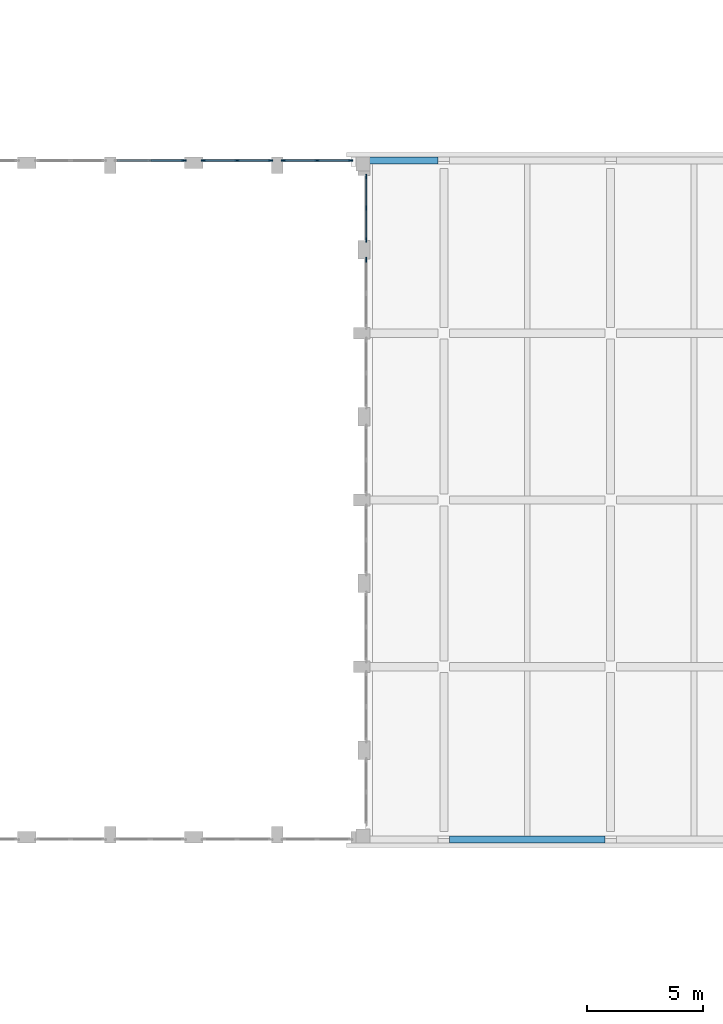
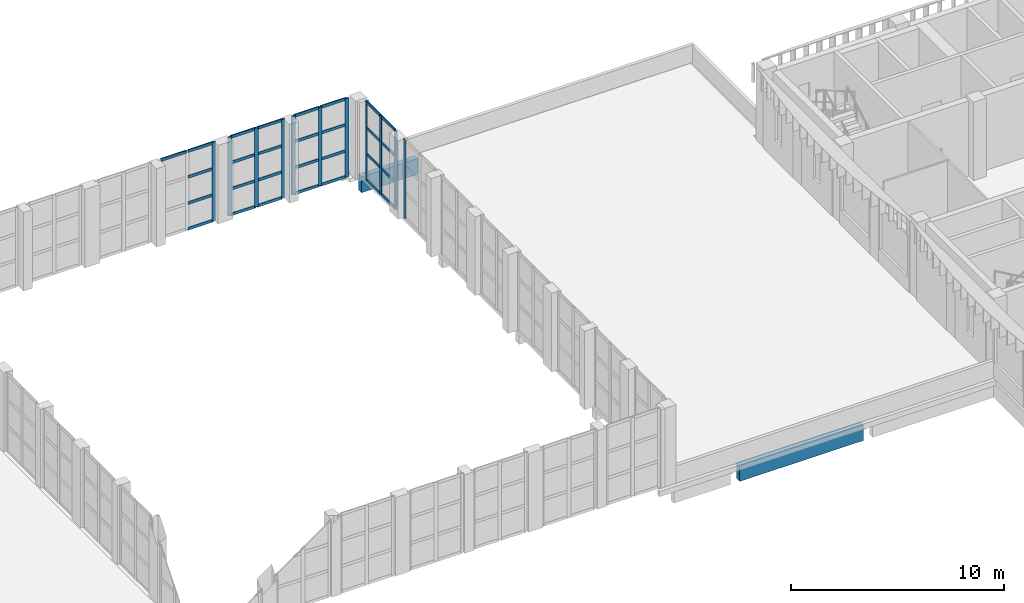
# One storey, part 7 of 44: 40 members, 2 beams, 5 elements without a shape of their own.
"""IFC4 building model written with IfcOpenShell, lengths in metres."""

import ifcopenshell
import ifcopenshell.guid

model = None  # the IFC model being written
_history = None  # IfcOwnerHistory: only IFC2X3 demands one
_inside = {}  # id of a spatial element -> (the spatial element, [elements in it])
_under = {}  # id of a project, library or spatial element -> (it, [spatial elements below it])
_declared = {}  # id of a project -> (the project, [libraries it declares])
_typed = {}  # id of a type object -> (the type object, [elements of that type])
_made_of = {}  # id of a material, layer set ... -> (it, [elements and type objects made of it])


def new_model(schema):
    """Start an empty IFC model of exactly this schema.

    Asked for "IFC4X3", IfcOpenShell would pick the latest addendum, in which some entities
    have other attributes; the version numbers below select the first issue.
    IFC2X3 requires an IfcOwnerHistory on every rooted entity: one is made here for all.
    """
    global model, _history
    if schema == "IFC4X3":
        model = ifcopenshell.file(schema_version=(4, 3, 0, 0))
    else:
        model = ifcopenshell.file(schema=schema)
    _inside.clear()
    _under.clear()
    _declared.clear()
    _typed.clear()
    _made_of.clear()
    _history = None
    if model.schema == "IFC2X3":
        org = make("IfcOrganization", Name="unknown")
        user = make(
            "IfcPersonAndOrganization",
            ThePerson=make("IfcPerson", FamilyName="unknown"),
            TheOrganization=org,
        )
        app = make(
            "IfcApplication",
            ApplicationDeveloper=org,
            Version="unknown",
            ApplicationFullName="unknown",
            ApplicationIdentifier="unknown",
        )
        _history = make(
            "IfcOwnerHistory",
            OwningUser=user,
            OwningApplication=app,
            ChangeAction="ADDED",
            CreationDate=0,
        )
    return model


def make(cls, **values):
    """One entity of the class cls with the attributes given. An attribute that is None is left unset."""
    return model.create_entity(
        cls, **{name: value for name, value in values.items() if value is not None}
    )


def rooted(cls, **values):
    """An entity with a GlobalId (a new one), such as an element, a storey or a relation."""
    return make(cls, GlobalId=ifcopenshell.guid.new(), OwnerHistory=_history, **values)


def si_unit(unit_type, name, prefix=None):
    """IfcSIUnit, for example si_unit("LENGTHUNIT", "METRE", prefix="MILLI")."""
    return make("IfcSIUnit", UnitType=unit_type, Prefix=prefix, Name=name)


def assignment(units):
    """IfcUnitAssignment: the units of a project."""
    return None if units is None else make("IfcUnitAssignment", Units=units)


def point(xyz):
    """IfcCartesianPoint."""
    return None if xyz is None else make("IfcCartesianPoint", Coordinates=xyz)


def direction(xyz):
    """IfcDirection."""
    return None if xyz is None else make("IfcDirection", DirectionRatios=xyz)


def frame(location, z_axis=None, x_axis=None):
    """IfcAxis2Placement3D, a coordinate frame: its origin and axes. An axis left out is left unset."""
    return make(
        "IfcAxis2Placement3D",
        Location=point(location),
        Axis=direction(z_axis),
        RefDirection=direction(x_axis),
    )


def frame_2d(location, x_axis=None):
    """IfcAxis2Placement2D, a coordinate frame in the plane: its origin and x axis."""
    return make(
        "IfcAxis2Placement2D", Location=point(location), RefDirection=direction(x_axis)
    )


def origin():
    """The frame at (0, 0, 0) with its axes left unset."""
    return frame((0.0, 0.0, 0.0))


def origin_2d():
    """The frame at (0, 0) in the plane with its x axis left unset."""
    return frame_2d((0.0, 0.0))


def place(relative_to, where):
    """IfcLocalPlacement: puts the frame where relative to a parent placement (None: the world)."""
    return make(
        "IfcLocalPlacement", PlacementRelTo=relative_to, RelativePlacement=where
    )


def context(
    kind, dimensions, precision=None, world=None, true_north=None, identifier=None
):
    """IfcGeometricRepresentationContext, for example the 3D "Model" context."""
    return make(
        "IfcGeometricRepresentationContext",
        ContextIdentifier=identifier,
        ContextType=kind,
        CoordinateSpaceDimension=dimensions,
        Precision=precision,
        WorldCoordinateSystem=world,
        TrueNorth=true_north,
    )


def subcontext(parent, identifier, kind, view, scale=None):
    """IfcGeometricRepresentationSubContext, for example "Body" below "Model"."""
    return make(
        "IfcGeometricRepresentationSubContext",
        ContextIdentifier=identifier,
        ContextType=kind,
        ParentContext=parent,
        TargetScale=scale,
        TargetView=view,
    )


def project(units=None, contexts=None):
    """IfcProject with its units and contexts."""
    return rooted(
        "IfcProject",
        Name="project",
        RepresentationContexts=contexts,
        UnitsInContext=assignment(units),
    )


def spatial(cls, under=None, at=None, **own):
    """A site, building, storey or space (cls), placed at a placement, below another one or the project."""
    s = rooted(cls, ObjectPlacement=at, **own)
    if under is not None:
        _under.setdefault(under.id(), (under, []))[1].append(s)
    return s


def profile(cls, at=None, kind="AREA", **sizes):
    """A parametric profile (cls). Its sizes go by their IFC names, for example OverallWidth=200.0."""
    return make(cls, ProfileType=kind, Position=at, **sizes)


def rectangle(**sizes):
    """IfcRectangleProfileDef."""
    return profile("IfcRectangleProfileDef", **sizes)


def extrude(swept, where, along, depth):
    """IfcExtrudedAreaSolid: the profile swept, set in the frame where, extruded along a direction by depth."""
    return make(
        "IfcExtrudedAreaSolid",
        SweptArea=swept,
        Position=where,
        ExtrudedDirection=direction(along),
        Depth=depth,
    )


def shape(context_of_items, identifier, shape_type, items):
    """IfcShapeRepresentation: the items that make up one representation, for example the "Body"."""
    return make(
        "IfcShapeRepresentation",
        ContextOfItems=context_of_items,
        RepresentationIdentifier=identifier,
        RepresentationType=shape_type,
        Items=items,
    )


def material(Name=None, Category=None):
    """IfcMaterial."""
    return make("IfcMaterial", Name=Name, Category=Category)


def layer(
    of_material, thickness, ventilated=None, Name=None, Category=None, Priority=None
):
    """IfcMaterialLayer: one layer of a wall or slab, of a material (None: an air gap)."""
    return make(
        "IfcMaterialLayer",
        Material=of_material,
        LayerThickness=thickness,
        IsVentilated=ventilated,
        Name=Name,
        Category=Category,
        Priority=Priority,
    )


def layer_set(layers, Name=None):
    """IfcMaterialLayerSet."""
    return make("IfcMaterialLayerSet", MaterialLayers=layers, LayerSetName=Name)


def material_profile(
    of_material, cross_section, Name=None, Category=None, Priority=None
):
    """IfcMaterialProfile: a cross section and its material."""
    return make(
        "IfcMaterialProfile",
        Name=Name,
        Material=of_material,
        Profile=cross_section,
        Priority=Priority,
        Category=Category,
    )


def profile_set(profiles, Name=None, composite=None):
    """IfcMaterialProfileSet."""
    return make(
        "IfcMaterialProfileSet",
        Name=Name,
        MaterialProfiles=profiles,
        CompositeProfile=composite,
    )


def made_of(thing, what):
    """Note that an element or type object is made of a material, layer set ...; save() writes the relation."""
    if what is not None:
        _made_of.setdefault(what.id(), (what, []))[1].append(thing)
    return thing


def type_object(cls, material=None, **own):
    """A type object (cls), such as IfcWallType, which elements share."""
    return made_of(rooted(cls, **own), material)


def element(
    cls,
    number,
    at=None,
    inside=None,
    cuts=None,
    type_object=None,
    material=None,
    context=None,
    identifier="Body",
    shape_type=None,
    held_by="IfcProductDefinitionShape",
    body=None,
    shapes=None,
    **own,
):
    """One element of the class cls, such as IfcWall. Its Tag is "e" and its number.

    at: its placement. inside: the storey or other place that contains it. cuts: it is an
    opening in that element (IfcRelVoidsElement). A single representation is given by context,
    identifier, shape_type and body (its items); several are given by shapes. held_by: the class
    of the entity that holds the representations. save() writes the other relations.
    """
    e = rooted(cls, Tag="e%d" % number, ObjectPlacement=at, **own)
    if body is not None:
        shapes = [shape(context, identifier, shape_type, body)]
    if shapes is not None:
        e.Representation = make(held_by, Representations=shapes)
    if inside is not None:
        _inside.setdefault(inside.id(), (inside, []))[1].append(e)
    if cuts is not None:
        rooted(
            "IfcRelVoidsElement", RelatingBuildingElement=cuts, RelatedOpeningElement=e
        )
    if type_object is not None:
        _typed.setdefault(type_object.id(), (type_object, []))[1].append(e)
    return made_of(e, material)


def aggregate(whole, parts):
    """IfcRelAggregates: a whole, such as a stair, and the parts it consists of."""
    return rooted("IfcRelAggregates", RelatingObject=whole, RelatedObjects=parts)


def save(model, path):
    """Write the relations noted so far, then the file.

    IfcRelAggregates (storeys below a building ...), IfcRelContainedInSpatialStructure (elements
    in a storey), IfcRelDefinesByType, IfcRelAssociatesMaterial and IfcRelDeclares: one each for
    every whole, place, type object, material and project.
    """
    for whole, parts in _under.values():
        aggregate(whole, parts)
    for where, things in _inside.values():
        rooted(
            "IfcRelContainedInSpatialStructure",
            RelatedElements=things,
            RelatingStructure=where,
        )
    for kind, things in _typed.values():
        rooted("IfcRelDefinesByType", RelatedObjects=things, RelatingType=kind)
    for what, things in _made_of.values():
        rooted("IfcRelAssociatesMaterial", RelatedObjects=things, RelatingMaterial=what)
    for by, libraries in _declared.values():
        rooted("IfcRelDeclares", RelatingContext=by, RelatedDefinitions=libraries)
    model.write(path)


model = new_model("IFC4")

# Units and contexts
model_context = context("Model", 3, precision=1e-05, world=origin(), true_north=direction((0.0, 1.0)))
body_context = subcontext(model_context, "Body", "Model", "MODEL_VIEW")
ifc_project = project(units=[si_unit("LENGTHUNIT", "METRE"), si_unit("AREAUNIT", "SQUARE_METRE"), si_unit("VOLUMEUNIT", "CUBIC_METRE"), si_unit("PLANEANGLEUNIT", "RADIAN"), si_unit("MASSUNIT", "GRAM", prefix="KILO")], contexts=[model_context])

# Site, building, storey
site_placement = place(None, origin())
site = spatial("IfcSite", under=ifc_project, at=site_placement, CompositionType="ELEMENT")
building_placement = place(site_placement, origin())
building = spatial("IfcBuilding", under=site, at=building_placement, Name="Ussher Court Research Institute", CompositionType="ELEMENT")
storey_placement = place(building_placement, frame((0.0, 0.0, 18.89990234375)))
storey = spatial("IfcBuildingStorey", under=building, at=storey_placement, Name="L04", CompositionType="ELEMENT", Elevation=18.89990234375)

# Curtain wall, members
ifc_material_1 = material(Name="Bronze anodised aluminium with low-e glass", Category="aluminium")
ifc_layer = layer(ifc_material_1, 0.159912109375)
ifc_layer_set = layer_set([ifc_layer], Name="Bronze anodised aluminium with low-e glass")
curtain_wall_type = type_object("IfcCurtainWallType", Name="Curtain wall atrium clerestory tall glazing", PredefinedType="NOTDEFINED", material=ifc_layer_set)
curtain_wall_1_placement = place(storey_placement, origin())
curtain_wall_1 = element("IfcCurtainWall", 1, at=curtain_wall_1_placement, inside=storey, type_object=curtain_wall_type, Name="Curtain wall CW3 L04", PredefinedType="NOTDEFINED")
ifc_material_2 = material(Name="Bronze anodised aluminium", Category="aluminium")
ifc_material_profile_1 = material_profile(ifc_material_2, rectangle(XDim=0.06005859375, YDim=0.199951171875, at=origin_2d()), Name="Mullion 60x200")
ifc_profile_set_1 = profile_set([ifc_material_profile_1], Name="Bronze anodised aluminium")
member_type_1 = type_object("IfcMemberType", Name="Mullion 60x200", PredefinedType="MULLION", material=ifc_profile_set_1)
member_1_placement = place(storey_placement, frame((64.449951171875, 39.570068359375, 0.0), z_axis=(0.0, 0.0, 1.0), x_axis=(1.0, 0.0, 0.0)))
member_1 = element("IfcMember", 2, at=member_1_placement, type_object=member_type_1, Name="CW3 mullion 1", PredefinedType="MULLION", context=body_context, shape_type="SweptSolid", body=[
    extrude(rectangle(XDim=0.06005859375, YDim=0.199951171875, at=origin_2d()), origin(), (0.0, 0.0, 1.0), 4.5),
])
member_2_placement = place(storey_placement, frame((64.449951171875, 38.199951171875, 0.0), z_axis=(0.0, 0.0, 1.0), x_axis=(1.0, 0.0, 0.0)))
member_2 = element("IfcMember", 3, at=member_2_placement, type_object=member_type_1, Name="CW3 mullion 2", PredefinedType="MULLION", context=body_context, shape_type="SweptSolid", body=[
    extrude(rectangle(XDim=0.06005859375, YDim=0.199951171875, at=origin_2d()), origin(), (0.0, 0.0, 1.0), 4.5),
])
member_3_placement = place(storey_placement, frame((64.449951171875, 36.830078125, 0.0), z_axis=(0.0, 0.0, 1.0), x_axis=(1.0, 0.0, 0.0)))
member_3 = element("IfcMember", 4, at=member_3_placement, type_object=member_type_1, Name="CW3 mullion 3", PredefinedType="MULLION", context=body_context, shape_type="SweptSolid", body=[
    extrude(rectangle(XDim=0.06005859375, YDim=0.199951171875, at=origin_2d()), origin(), (0.0, 0.0, 1.0), 4.5),
])

# Curtain wall, member
curtain_wall_2_placement = place(storey_placement, origin())
curtain_wall_2 = element("IfcCurtainWall", 5, at=curtain_wall_2_placement, inside=storey, type_object=curtain_wall_type, Name="Curtain wall CW3 L04", PredefinedType="NOTDEFINED")
member_4_placement = place(storey_placement, frame((64.449951171875, 35.969970703125, 0.0), z_axis=(0.0, 0.0, 1.0), x_axis=(1.0, 0.0, 0.0)))
member_4 = element("IfcMember", 6, at=member_4_placement, type_object=member_type_1, Name="CW3 mullion 1", PredefinedType="MULLION", context=body_context, shape_type="SweptSolid", body=[
    extrude(rectangle(XDim=0.06005859375, YDim=0.199951171875, at=origin_2d()), origin(), (0.0, 0.0, 1.0), 4.5),
])
aggregate(curtain_wall_2, [member_4])

curtain_wall_3_placement = place(storey_placement, origin())
curtain_wall_3 = element("IfcCurtainWall", 7, at=curtain_wall_3_placement, inside=storey, type_object=curtain_wall_type, Name="Curtain wall CW3 L04", PredefinedType="NOTDEFINED")
member_5_placement = place(storey_placement, frame((56.570068359375, 40.25, 0.0), z_axis=(0.0, 0.0, 1.0), x_axis=(0.0, 1.0, 0.0)))
member_5 = element("IfcMember", 8, at=member_5_placement, type_object=member_type_1, Name="CW3 mullion 3", PredefinedType="MULLION", context=body_context, shape_type="SweptSolid", body=[
    extrude(rectangle(XDim=0.06005859375, YDim=0.199951171875, at=origin_2d()), origin(), (0.0, 0.0, 1.0), 4.5),
])

# Curtain wall, members
curtain_wall_4_placement = place(storey_placement, origin())
curtain_wall_4 = element("IfcCurtainWall", 9, at=curtain_wall_4_placement, inside=storey, type_object=curtain_wall_type, Name="Curtain wall CW3 L04", PredefinedType="NOTDEFINED")
member_6_placement = place(storey_placement, frame((57.429931640625, 40.25, 0.0), z_axis=(0.0, 0.0, 1.0), x_axis=(0.0, 1.0, 0.0)))
member_6 = element("IfcMember", 10, at=member_6_placement, type_object=member_type_1, Name="CW3 mullion 1", PredefinedType="MULLION", context=body_context, shape_type="SweptSolid", body=[
    extrude(rectangle(XDim=0.06005859375, YDim=0.199951171875, at=origin_2d()), origin(), (0.0, 0.0, 1.0), 4.5),
])
member_7_placement = place(storey_placement, frame((58.875, 40.25, 0.0), z_axis=(0.0, 0.0, 1.0), x_axis=(0.0, 1.0, 0.0)))
member_7 = element("IfcMember", 11, at=member_7_placement, type_object=member_type_1, Name="CW3 mullion 2", PredefinedType="MULLION", context=body_context, shape_type="SweptSolid", body=[
    extrude(rectangle(XDim=0.06005859375, YDim=0.199951171875, at=origin_2d()), origin(), (0.0, 0.0, 1.0), 4.5),
])
member_8_placement = place(storey_placement, frame((60.320068359375, 40.25, 0.0), z_axis=(0.0, 0.0, 1.0), x_axis=(0.0, 1.0, 0.0)))
member_8 = element("IfcMember", 12, at=member_8_placement, type_object=member_type_1, Name="CW3 mullion 3", PredefinedType="MULLION", context=body_context, shape_type="SweptSolid", body=[
    extrude(rectangle(XDim=0.06005859375, YDim=0.199951171875, at=origin_2d()), origin(), (0.0, 0.0, 1.0), 4.5),
])

curtain_wall_5_placement = place(storey_placement, origin())
curtain_wall_5 = element("IfcCurtainWall", 13, at=curtain_wall_5_placement, inside=storey, type_object=curtain_wall_type, Name="Curtain wall CW3 L04", PredefinedType="NOTDEFINED")
member_9_placement = place(storey_placement, frame((60.8798828125, 40.25, 0.0), z_axis=(0.0, 0.0, 1.0), x_axis=(0.0, 1.0, 0.0)))
member_9 = element("IfcMember", 14, at=member_9_placement, type_object=member_type_1, Name="CW3 mullion 1", PredefinedType="MULLION", context=body_context, shape_type="SweptSolid", body=[
    extrude(rectangle(XDim=0.06005859375, YDim=0.199951171875, at=origin_2d()), origin(), (0.0, 0.0, 1.0), 4.5),
])
member_10_placement = place(storey_placement, frame((62.324951171875, 40.25, 0.0), z_axis=(0.0, 0.0, 1.0), x_axis=(0.0, 1.0, 0.0)))
member_10 = element("IfcMember", 15, at=member_10_placement, type_object=member_type_1, Name="CW3 mullion 2", PredefinedType="MULLION", context=body_context, shape_type="SweptSolid", body=[
    extrude(rectangle(XDim=0.06005859375, YDim=0.199951171875, at=origin_2d()), origin(), (0.0, 0.0, 1.0), 4.5),
])
member_11_placement = place(storey_placement, frame((63.77001953125, 40.25, 0.0), z_axis=(0.0, 0.0, 1.0), x_axis=(0.0, 1.0, 0.0)))
member_11 = element("IfcMember", 16, at=member_11_placement, type_object=member_type_1, Name="CW3 mullion 3", PredefinedType="MULLION", context=body_context, shape_type="SweptSolid", body=[
    extrude(rectangle(XDim=0.06005859375, YDim=0.199951171875, at=origin_2d()), origin(), (0.0, 0.0, 1.0), 4.5),
])

# Beams
ifc_material_3 = material(Name="Concrete C35/45", Category="concrete")
ifc_material_profile_2 = material_profile(ifc_material_3, rectangle(XDim=0.300048828125, YDim=0.89990234375, at=origin_2d()), Name="RC 300x900")
ifc_profile_set_2 = profile_set([ifc_material_profile_2], Name="Concrete C35/45")
beam_type = type_object("IfcBeamType", Name="RC 300x900 beam", PredefinedType="BEAM", material=ifc_profile_set_2)
beam_1_placement = place(storey_placement, frame((68.050048828125, 10.949951171875, -0.64990234375), z_axis=(1.0, 0.0, 0.0), x_axis=(0.0, 1.0, 0.0)))
element("IfcBeam", 17, at=beam_1_placement, inside=storey, type_object=beam_type, Name="SB2 V7 L04-04", PredefinedType="BEAM", context=body_context, shape_type="SweptSolid", body=[
    extrude(rectangle(XDim=0.300048828125, YDim=0.89990234375, at=origin_2d()), origin(), (0.0, 0.0, 1.0), 6.699951171875),
])
beam_2_placement = place(storey_placement, frame((64.5, 40.25, -0.64990234375), z_axis=(1.0, 0.0, 0.0), x_axis=(0.0, 1.0, 0.0)))
element("IfcBeam", 18, at=beam_2_placement, inside=storey, type_object=beam_type, Name="SB2 V7 L04-08", PredefinedType="BEAM", context=body_context, shape_type="SweptSolid", body=[
    extrude(rectangle(XDim=0.300048828125, YDim=0.89990234375, at=origin_2d()), origin(), (0.0, 0.0, 1.0), 3.050048828125),
])

# Member
ifc_material_4 = material(Name="Bronze anodised aluminium", Category="aluminium")
ifc_material_profile_3 = material_profile(ifc_material_4, rectangle(XDim=0.06005859375, YDim=0.159912109375, at=origin_2d()), Name="Transom 60x160")
ifc_profile_set_3 = profile_set([ifc_material_profile_3], Name="Bronze anodised aluminium")
member_type_2 = type_object("IfcMemberType", Name="Transom 60x160", PredefinedType="USERDEFINED", material=ifc_profile_set_3)
member_12_placement = place(storey_placement, frame((64.449951171875, 39.5400390625, 0.030029296875), z_axis=(0.0, -1.0, 0.0), x_axis=(1.0, 0.0, 0.0)))
member_12 = element("IfcMember", 19, at=member_12_placement, type_object=member_type_2, Name="CW3 transom 1.1", ObjectType="TRANSOM", PredefinedType="USERDEFINED", context=body_context, shape_type="SweptSolid", body=[
    extrude(rectangle(XDim=0.06005859375, YDim=0.159912109375, at=origin_2d()), origin(), (0.0, 0.0, 1.0), 1.31005859375),
])

member_13_placement = place(storey_placement, frame((64.449951171875, 39.5400390625, 1.5), z_axis=(0.0, -1.0, 0.0), x_axis=(1.0, 0.0, 0.0)))
member_13 = element("IfcMember", 20, at=member_13_placement, type_object=member_type_2, Name="CW3 transom 1.2", ObjectType="TRANSOM", PredefinedType="USERDEFINED", context=body_context, shape_type="SweptSolid", body=[
    extrude(rectangle(XDim=0.06005859375, YDim=0.159912109375, at=origin_2d()), origin(), (0.0, 0.0, 1.0), 1.31005859375),
])

member_14_placement = place(storey_placement, frame((64.449951171875, 39.5400390625, 3.0), z_axis=(0.0, -1.0, 0.0), x_axis=(1.0, 0.0, 0.0)))
member_14 = element("IfcMember", 21, at=member_14_placement, type_object=member_type_2, Name="CW3 transom 1.3", ObjectType="TRANSOM", PredefinedType="USERDEFINED", context=body_context, shape_type="SweptSolid", body=[
    extrude(rectangle(XDim=0.06005859375, YDim=0.159912109375, at=origin_2d()), origin(), (0.0, 0.0, 1.0), 1.31005859375),
])

member_15_placement = place(storey_placement, frame((64.449951171875, 39.5400390625, 4.47021484375), z_axis=(0.0, -1.0, 0.0), x_axis=(1.0, 0.0, 0.0)))
member_15 = element("IfcMember", 22, at=member_15_placement, type_object=member_type_2, Name="CW3 transom 1.4", ObjectType="TRANSOM", PredefinedType="USERDEFINED", context=body_context, shape_type="SweptSolid", body=[
    extrude(rectangle(XDim=0.06005859375, YDim=0.159912109375, at=origin_2d()), origin(), (0.0, 0.0, 1.0), 1.31005859375),
])

member_16_placement = place(storey_placement, frame((64.449951171875, 38.169921875, 0.030029296875), z_axis=(0.0, -1.0, 0.0), x_axis=(1.0, 0.0, 0.0)))
member_16 = element("IfcMember", 23, at=member_16_placement, type_object=member_type_2, Name="CW3 transom 2.1", ObjectType="TRANSOM", PredefinedType="USERDEFINED", context=body_context, shape_type="SweptSolid", body=[
    extrude(rectangle(XDim=0.06005859375, YDim=0.159912109375, at=origin_2d()), origin(), (0.0, 0.0, 1.0), 1.309814453125),
])

member_17_placement = place(storey_placement, frame((64.449951171875, 38.169921875, 1.5), z_axis=(0.0, -1.0, 0.0), x_axis=(1.0, 0.0, 0.0)))
member_17 = element("IfcMember", 24, at=member_17_placement, type_object=member_type_2, Name="CW3 transom 2.2", ObjectType="TRANSOM", PredefinedType="USERDEFINED", context=body_context, shape_type="SweptSolid", body=[
    extrude(rectangle(XDim=0.06005859375, YDim=0.159912109375, at=origin_2d()), origin(), (0.0, 0.0, 1.0), 1.309814453125),
])

member_18_placement = place(storey_placement, frame((64.449951171875, 38.169921875, 3.0), z_axis=(0.0, -1.0, 0.0), x_axis=(1.0, 0.0, 0.0)))
member_18 = element("IfcMember", 25, at=member_18_placement, type_object=member_type_2, Name="CW3 transom 2.3", ObjectType="TRANSOM", PredefinedType="USERDEFINED", context=body_context, shape_type="SweptSolid", body=[
    extrude(rectangle(XDim=0.06005859375, YDim=0.159912109375, at=origin_2d()), origin(), (0.0, 0.0, 1.0), 1.309814453125),
])

member_19_placement = place(storey_placement, frame((64.449951171875, 38.169921875, 4.47021484375), z_axis=(0.0, -1.0, 0.0), x_axis=(1.0, 0.0, 0.0)))
member_19 = element("IfcMember", 26, at=member_19_placement, type_object=member_type_2, Name="CW3 transom 2.4", ObjectType="TRANSOM", PredefinedType="USERDEFINED", context=body_context, shape_type="SweptSolid", body=[
    extrude(rectangle(XDim=0.06005859375, YDim=0.159912109375, at=origin_2d()), origin(), (0.0, 0.0, 1.0), 1.309814453125),
])

aggregate(curtain_wall_1, [member_1, member_2, member_3, member_12, member_13, member_14, member_15, member_16, member_17, member_18, member_19])

member_20_placement = place(storey_placement, frame((53.7099609375, 40.25, 4.47021484375), z_axis=(1.0, 0.0, 0.0), x_axis=(0.0, 1.0, 0.0)))
member_20 = element("IfcMember", 27, at=member_20_placement, type_object=member_type_2, Name="CW3 transom 1.4", ObjectType="TRANSOM", PredefinedType="USERDEFINED", context=body_context, shape_type="SweptSolid", body=[
    extrude(rectangle(XDim=0.06005859375, YDim=0.159912109375, at=origin_2d()), origin(), (0.0, 0.0, 1.0), 1.385009765625),
])

member_21_placement = place(storey_placement, frame((55.155029296875, 40.25, 0.030029296875), z_axis=(1.0, 0.0, 0.0), x_axis=(0.0, 1.0, 0.0)))
member_21 = element("IfcMember", 28, at=member_21_placement, type_object=member_type_2, Name="CW3 transom 2.1", ObjectType="TRANSOM", PredefinedType="USERDEFINED", context=body_context, shape_type="SweptSolid", body=[
    extrude(rectangle(XDim=0.06005859375, YDim=0.159912109375, at=origin_2d()), origin(), (0.0, 0.0, 1.0), 1.385009765625),
])

member_22_placement = place(storey_placement, frame((55.155029296875, 40.25, 1.5), z_axis=(1.0, 0.0, 0.0), x_axis=(0.0, 1.0, 0.0)))
member_22 = element("IfcMember", 29, at=member_22_placement, type_object=member_type_2, Name="CW3 transom 2.2", ObjectType="TRANSOM", PredefinedType="USERDEFINED", context=body_context, shape_type="SweptSolid", body=[
    extrude(rectangle(XDim=0.06005859375, YDim=0.159912109375, at=origin_2d()), origin(), (0.0, 0.0, 1.0), 1.385009765625),
])

member_23_placement = place(storey_placement, frame((55.155029296875, 40.25, 3.0), z_axis=(1.0, 0.0, 0.0), x_axis=(0.0, 1.0, 0.0)))
member_23 = element("IfcMember", 30, at=member_23_placement, type_object=member_type_2, Name="CW3 transom 2.3", ObjectType="TRANSOM", PredefinedType="USERDEFINED", context=body_context, shape_type="SweptSolid", body=[
    extrude(rectangle(XDim=0.06005859375, YDim=0.159912109375, at=origin_2d()), origin(), (0.0, 0.0, 1.0), 1.385009765625),
])

member_24_placement = place(storey_placement, frame((55.155029296875, 40.25, 4.47021484375), z_axis=(1.0, 0.0, 0.0), x_axis=(0.0, 1.0, 0.0)))
member_24 = element("IfcMember", 31, at=member_24_placement, type_object=member_type_2, Name="CW3 transom 2.4", ObjectType="TRANSOM", PredefinedType="USERDEFINED", context=body_context, shape_type="SweptSolid", body=[
    extrude(rectangle(XDim=0.06005859375, YDim=0.159912109375, at=origin_2d()), origin(), (0.0, 0.0, 1.0), 1.385009765625),
])

aggregate(curtain_wall_3, [member_5, member_20, member_21, member_22, member_23, member_24])

member_25_placement = place(storey_placement, frame((57.4599609375, 40.25, 0.030029296875), z_axis=(1.0, 0.0, 0.0), x_axis=(0.0, 1.0, 0.0)))
member_25 = element("IfcMember", 32, at=member_25_placement, type_object=member_type_2, Name="CW3 transom 1.1", ObjectType="TRANSOM", PredefinedType="USERDEFINED", context=body_context, shape_type="SweptSolid", body=[
    extrude(rectangle(XDim=0.06005859375, YDim=0.159912109375, at=origin_2d()), origin(), (0.0, 0.0, 1.0), 1.385009765625),
])

member_26_placement = place(storey_placement, frame((57.4599609375, 40.25, 1.5), z_axis=(1.0, 0.0, 0.0), x_axis=(0.0, 1.0, 0.0)))
member_26 = element("IfcMember", 33, at=member_26_placement, type_object=member_type_2, Name="CW3 transom 1.2", ObjectType="TRANSOM", PredefinedType="USERDEFINED", context=body_context, shape_type="SweptSolid", body=[
    extrude(rectangle(XDim=0.06005859375, YDim=0.159912109375, at=origin_2d()), origin(), (0.0, 0.0, 1.0), 1.385009765625),
])

member_27_placement = place(storey_placement, frame((57.4599609375, 40.25, 3.0), z_axis=(1.0, 0.0, 0.0), x_axis=(0.0, 1.0, 0.0)))
member_27 = element("IfcMember", 34, at=member_27_placement, type_object=member_type_2, Name="CW3 transom 1.3", ObjectType="TRANSOM", PredefinedType="USERDEFINED", context=body_context, shape_type="SweptSolid", body=[
    extrude(rectangle(XDim=0.06005859375, YDim=0.159912109375, at=origin_2d()), origin(), (0.0, 0.0, 1.0), 1.385009765625),
])

member_28_placement = place(storey_placement, frame((57.4599609375, 40.25, 4.47021484375), z_axis=(1.0, 0.0, 0.0), x_axis=(0.0, 1.0, 0.0)))
member_28 = element("IfcMember", 35, at=member_28_placement, type_object=member_type_2, Name="CW3 transom 1.4", ObjectType="TRANSOM", PredefinedType="USERDEFINED", context=body_context, shape_type="SweptSolid", body=[
    extrude(rectangle(XDim=0.06005859375, YDim=0.159912109375, at=origin_2d()), origin(), (0.0, 0.0, 1.0), 1.385009765625),
])

member_29_placement = place(storey_placement, frame((58.905029296875, 40.25, 0.030029296875), z_axis=(1.0, 0.0, 0.0), x_axis=(0.0, 1.0, 0.0)))
member_29 = element("IfcMember", 36, at=member_29_placement, type_object=member_type_2, Name="CW3 transom 2.1", ObjectType="TRANSOM", PredefinedType="USERDEFINED", context=body_context, shape_type="SweptSolid", body=[
    extrude(rectangle(XDim=0.06005859375, YDim=0.159912109375, at=origin_2d()), origin(), (0.0, 0.0, 1.0), 1.385009765625),
])

member_30_placement = place(storey_placement, frame((58.905029296875, 40.25, 1.5), z_axis=(1.0, 0.0, 0.0), x_axis=(0.0, 1.0, 0.0)))
member_30 = element("IfcMember", 37, at=member_30_placement, type_object=member_type_2, Name="CW3 transom 2.2", ObjectType="TRANSOM", PredefinedType="USERDEFINED", context=body_context, shape_type="SweptSolid", body=[
    extrude(rectangle(XDim=0.06005859375, YDim=0.159912109375, at=origin_2d()), origin(), (0.0, 0.0, 1.0), 1.385009765625),
])

member_31_placement = place(storey_placement, frame((58.905029296875, 40.25, 3.0), z_axis=(1.0, 0.0, 0.0), x_axis=(0.0, 1.0, 0.0)))
member_31 = element("IfcMember", 38, at=member_31_placement, type_object=member_type_2, Name="CW3 transom 2.3", ObjectType="TRANSOM", PredefinedType="USERDEFINED", context=body_context, shape_type="SweptSolid", body=[
    extrude(rectangle(XDim=0.06005859375, YDim=0.159912109375, at=origin_2d()), origin(), (0.0, 0.0, 1.0), 1.385009765625),
])

member_32_placement = place(storey_placement, frame((58.905029296875, 40.25, 4.47021484375), z_axis=(1.0, 0.0, 0.0), x_axis=(0.0, 1.0, 0.0)))
member_32 = element("IfcMember", 39, at=member_32_placement, type_object=member_type_2, Name="CW3 transom 2.4", ObjectType="TRANSOM", PredefinedType="USERDEFINED", context=body_context, shape_type="SweptSolid", body=[
    extrude(rectangle(XDim=0.06005859375, YDim=0.159912109375, at=origin_2d()), origin(), (0.0, 0.0, 1.0), 1.385009765625),
])

aggregate(curtain_wall_4, [member_6, member_7, member_8, member_25, member_26, member_27, member_28, member_29, member_30, member_31, member_32])

member_33_placement = place(storey_placement, frame((60.909912109375, 40.25, 0.030029296875), z_axis=(1.0, 0.0, 0.0), x_axis=(0.0, 1.0, 0.0)))
member_33 = element("IfcMember", 40, at=member_33_placement, type_object=member_type_2, Name="CW3 transom 1.1", ObjectType="TRANSOM", PredefinedType="USERDEFINED", context=body_context, shape_type="SweptSolid", body=[
    extrude(rectangle(XDim=0.06005859375, YDim=0.159912109375, at=origin_2d()), origin(), (0.0, 0.0, 1.0), 1.385009765625),
])

member_34_placement = place(storey_placement, frame((60.909912109375, 40.25, 1.5), z_axis=(1.0, 0.0, 0.0), x_axis=(0.0, 1.0, 0.0)))
member_34 = element("IfcMember", 41, at=member_34_placement, type_object=member_type_2, Name="CW3 transom 1.2", ObjectType="TRANSOM", PredefinedType="USERDEFINED", context=body_context, shape_type="SweptSolid", body=[
    extrude(rectangle(XDim=0.06005859375, YDim=0.159912109375, at=origin_2d()), origin(), (0.0, 0.0, 1.0), 1.385009765625),
])

member_35_placement = place(storey_placement, frame((60.909912109375, 40.25, 3.0), z_axis=(1.0, 0.0, 0.0), x_axis=(0.0, 1.0, 0.0)))
member_35 = element("IfcMember", 42, at=member_35_placement, type_object=member_type_2, Name="CW3 transom 1.3", ObjectType="TRANSOM", PredefinedType="USERDEFINED", context=body_context, shape_type="SweptSolid", body=[
    extrude(rectangle(XDim=0.06005859375, YDim=0.159912109375, at=origin_2d()), origin(), (0.0, 0.0, 1.0), 1.385009765625),
])

member_36_placement = place(storey_placement, frame((60.909912109375, 40.25, 4.47021484375), z_axis=(1.0, 0.0, 0.0), x_axis=(0.0, 1.0, 0.0)))
member_36 = element("IfcMember", 43, at=member_36_placement, type_object=member_type_2, Name="CW3 transom 1.4", ObjectType="TRANSOM", PredefinedType="USERDEFINED", context=body_context, shape_type="SweptSolid", body=[
    extrude(rectangle(XDim=0.06005859375, YDim=0.159912109375, at=origin_2d()), origin(), (0.0, 0.0, 1.0), 1.385009765625),
])

member_37_placement = place(storey_placement, frame((62.35498046875, 40.25, 0.030029296875), z_axis=(1.0, 0.0, 0.0), x_axis=(0.0, 1.0, 0.0)))
member_37 = element("IfcMember", 44, at=member_37_placement, type_object=member_type_2, Name="CW3 transom 2.1", ObjectType="TRANSOM", PredefinedType="USERDEFINED", context=body_context, shape_type="SweptSolid", body=[
    extrude(rectangle(XDim=0.06005859375, YDim=0.159912109375, at=origin_2d()), origin(), (0.0, 0.0, 1.0), 1.385009765625),
])

member_38_placement = place(storey_placement, frame((62.35498046875, 40.25, 1.5), z_axis=(1.0, 0.0, 0.0), x_axis=(0.0, 1.0, 0.0)))
member_38 = element("IfcMember", 45, at=member_38_placement, type_object=member_type_2, Name="CW3 transom 2.2", ObjectType="TRANSOM", PredefinedType="USERDEFINED", context=body_context, shape_type="SweptSolid", body=[
    extrude(rectangle(XDim=0.06005859375, YDim=0.159912109375, at=origin_2d()), origin(), (0.0, 0.0, 1.0), 1.385009765625),
])

member_39_placement = place(storey_placement, frame((62.35498046875, 40.25, 3.0), z_axis=(1.0, 0.0, 0.0), x_axis=(0.0, 1.0, 0.0)))
member_39 = element("IfcMember", 46, at=member_39_placement, type_object=member_type_2, Name="CW3 transom 2.3", ObjectType="TRANSOM", PredefinedType="USERDEFINED", context=body_context, shape_type="SweptSolid", body=[
    extrude(rectangle(XDim=0.06005859375, YDim=0.159912109375, at=origin_2d()), origin(), (0.0, 0.0, 1.0), 1.385009765625),
])

member_40_placement = place(storey_placement, frame((62.35498046875, 40.25, 4.47021484375), z_axis=(1.0, 0.0, 0.0), x_axis=(0.0, 1.0, 0.0)))
member_40 = element("IfcMember", 47, at=member_40_placement, type_object=member_type_2, Name="CW3 transom 2.4", ObjectType="TRANSOM", PredefinedType="USERDEFINED", context=body_context, shape_type="SweptSolid", body=[
    extrude(rectangle(XDim=0.06005859375, YDim=0.159912109375, at=origin_2d()), origin(), (0.0, 0.0, 1.0), 1.385009765625),
])

aggregate(curtain_wall_5, [member_9, member_10, member_11, member_33, member_34, member_35, member_36, member_37, member_38, member_39, member_40])

save(model, "model.ifc")
